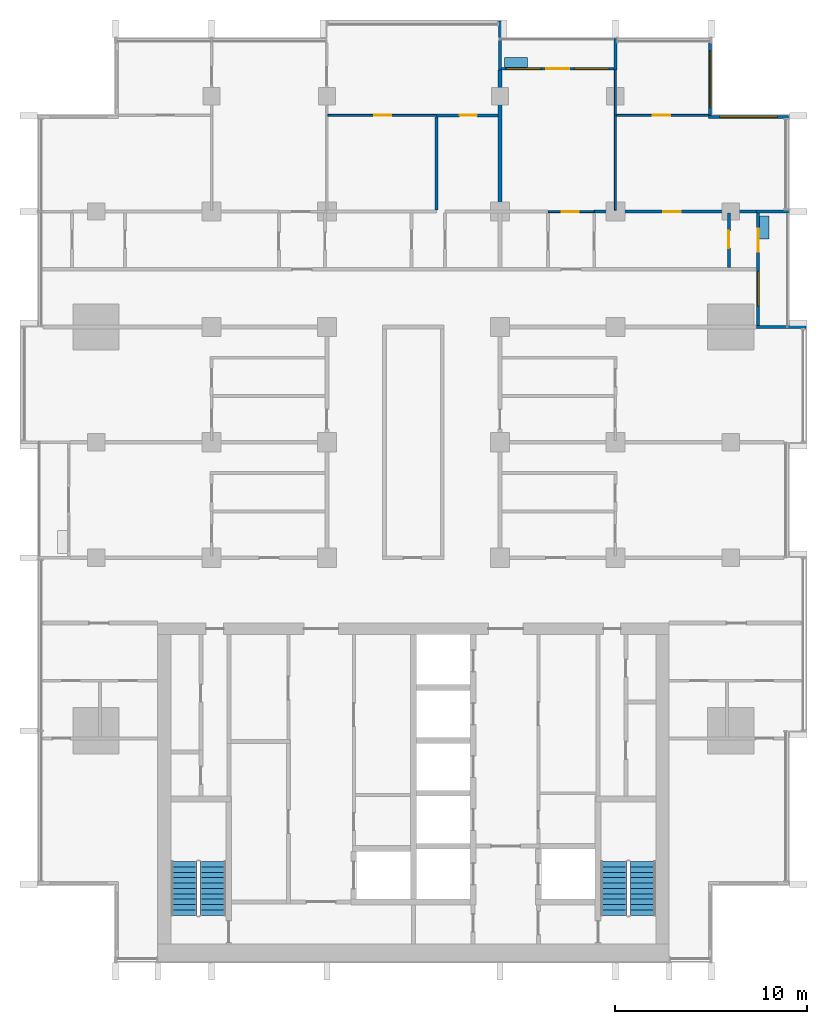
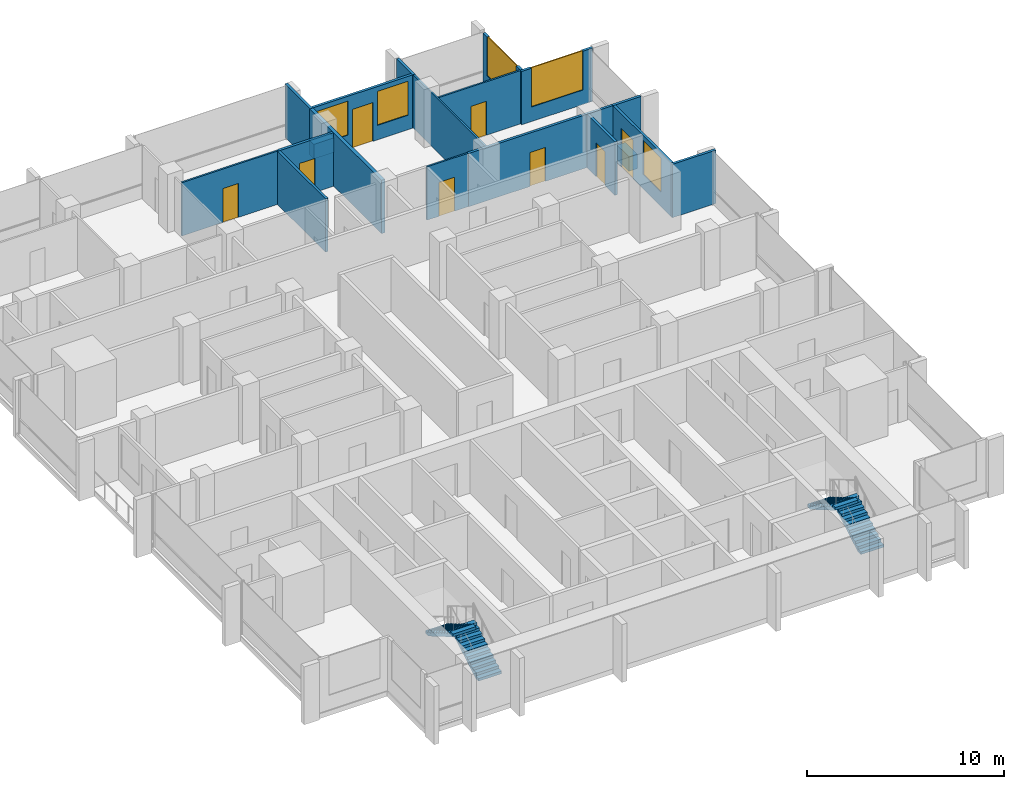
# One storey, part 11 of 16: 19 walls, 8 doors, 5 windows, 4 stair flights, 13 openings, 2 elements without a shape of their own.
"""IFC4 building model written with IfcOpenShell, lengths in metres."""

from ifc_helpers import new_model, si_unit, direction, frame, frame_2d, origin, place, context, subcontext, project, spatial, polyline, rectangle, outline, extrude, material, layer, layer_set, type_object, element, fill, aggregate, save


model = new_model("IFC4")

# Units and contexts
model_context = context("Model", 3, precision=1e-05, world=origin(), true_north=direction((0.0, 1.0)))
body_context = subcontext(model_context, "Body", "Model", "MODEL_VIEW")
ifc_project = project(units=[si_unit("LENGTHUNIT", "METRE"), si_unit("AREAUNIT", "SQUARE_METRE"), si_unit("VOLUMEUNIT", "CUBIC_METRE"), si_unit("PLANEANGLEUNIT", "RADIAN"), si_unit("MASSUNIT", "GRAM", prefix="KILO")], contexts=[model_context])

# Site, building, storey
site_placement = place(None, origin())
site = spatial("IfcSite", under=ifc_project, at=site_placement, CompositionType="ELEMENT")
building_placement = place(site_placement, origin())
building = spatial("IfcBuilding", under=site, at=building_placement, Name="Finial Court Residences", CompositionType="ELEMENT")
storey_placement = place(building_placement, frame((0.0, 0.0, 178.10009765625)))
storey = spatial("IfcBuildingStorey", under=building, at=storey_placement, Name="L44", CompositionType="ELEMENT", Elevation=178.10009765625)

# Wall
ifc_material_1 = material(Name="Gypsum board")
ifc_layer_1 = layer(ifc_material_1, 0.02490234375)
ifc_material_2 = material(Name="Acoustic mineral wool in double frame")
ifc_layer_2 = layer(ifc_material_2, 0.14990234375)
ifc_layer_3 = layer(ifc_material_1, 0.02490234375)
ifc_layer_set_1 = layer_set([ifc_layer_1, ifc_layer_2, ifc_layer_3], Name="Acoustic party wall 200, 1 hour")
wall_type_1 = type_object("IfcWallType", Name="Acoustic party wall 200, 1 hour", PredefinedType="PARTITIONING", material=ifc_layer_set_1)
wall_1_placement = place(storey_placement, frame((4.5, 13.574951171875, 0.0), z_axis=(0.0, 0.0, 1.0), x_axis=(0.0, 1.0, 0.0)))
element("IfcWall", 1, at=wall_1_placement, inside=storey, type_object=wall_type_1, Name="Partition L44-053", PredefinedType="PARTITIONING", context=body_context, shape_type="SweptSolid", body=[
    extrude(rectangle(XDim=7.275146484375, YDim=0.199951171875, at=frame_2d((3.6376953125, 0.0))), origin(), (0.0, 0.0, 1.0), 3.2998046875),
])

# Wall, opening, door
ifc_layer_4 = layer(ifc_material_1, 0.012451171875)
ifc_material_3 = material(Name="Mineral wool in light-gauge frame")
ifc_layer_5 = layer(ifc_material_3, 0.074951171875)
ifc_layer_6 = layer(ifc_material_1, 0.012451171875)
ifc_layer_set_2 = layer_set([ifc_layer_4, ifc_layer_5, ifc_layer_6], Name="Gypsum board partition 100")
wall_type_2 = type_object("IfcWallType", Name="Gypsum board partition 100", PredefinedType="PARTITIONING", material=ifc_layer_set_2)
wall_2_placement = place(storey_placement, frame((7.0, 13.5, 0.0), z_axis=(0.0, 0.0, 1.0), x_axis=(1.0, 0.0, 0.0)))
wall_2 = element("IfcWall", 2, at=wall_2_placement, inside=storey, type_object=wall_type_2, Name="Partition L44-025", PredefinedType="PARTITIONING", context=body_context, shape_type="SweptSolid", body=[
    extrude(rectangle(XDim=2.39990234375, YDim=0.10009765625, at=frame_2d((1.199951171875, 0.0))), origin(), (0.0, 0.0, 1.0), 3.2998046875),
])
opening_1_placement = place(wall_2_placement, frame((0.699951171875, 0.0, 0.0)))
opening_1 = element("IfcOpeningElement", 3, at=opening_1_placement, cuts=wall_2, Name="Opening L44-D015", PredefinedType="OPENING", context=body_context, shape_type="SweptSolid", body=[
    extrude(rectangle(XDim=0.89990234375, YDim=2.10009765625, at=frame_2d((0.449951171875, 1.050048828125))), frame((0.0, 0.06005859375, 0.0), z_axis=(0.0, -1.0, 0.0), x_axis=(1.0, 0.0, 0.0)), (0.0, 0.0, 1.0), 0.1201171875),
])
ifc_material_4 = material(Name="Timber door leaf in timber frame", Category="wood")
door_type_1 = type_object("IfcDoorType", Name="Door set 900 x 2100", OperationType="SINGLE_SWING_LEFT", PredefinedType="DOOR", material=ifc_material_4)
door_1_placement = place(opening_1_placement, origin())
door_1 = element("IfcDoor", 4, at=door_1_placement, inside=storey, type_object=door_type_1, Name="Door L44-D015", OperationType="SINGLE_SWING_RIGHT", OverallHeight=2.10009765625, OverallWidth=0.89990234375, PredefinedType="DOOR", context=body_context, shape_type="SweptSolid", body=[
    extrude(rectangle(XDim=0.89990234375, YDim=2.10009765625, at=frame_2d((0.449951171875, 1.050048828125))), frame((0.0, 0.02490234375, 0.0), z_axis=(0.0, -1.0, 0.0), x_axis=(1.0, 0.0, 0.0)), (0.0, 0.0, 1.0), 0.050048828125),
])
fill(opening_1, door_1)

wall_3_placement = place(storey_placement, frame((-4.449951171875, 18.5, 0.0), z_axis=(0.0, 0.0, 1.0), x_axis=(1.0, 0.0, 0.0)))
wall_3 = element("IfcWall", 5, at=wall_3_placement, inside=storey, type_object=wall_type_2, Name="Partition L44-031", PredefinedType="PARTITIONING", context=body_context, shape_type="SweptSolid", body=[
    extrude(rectangle(XDim=5.64990234375, YDim=0.10009765625, at=frame_2d((2.824951171875, 0.0))), origin(), (0.0, 0.0, 1.0), 3.2998046875),
])
opening_2_placement = place(wall_3_placement, frame((2.39990234375, 0.0, 0.0)))
opening_2 = element("IfcOpeningElement", 6, at=opening_2_placement, cuts=wall_3, Name="Opening L44-D018", PredefinedType="OPENING", context=body_context, shape_type="SweptSolid", body=[
    extrude(rectangle(XDim=0.89990234375, YDim=2.10009765625, at=frame_2d((0.449951171875, 1.050048828125))), frame((0.0, 0.06005859375, 0.0), z_axis=(0.0, -1.0, 0.0), x_axis=(1.0, 0.0, 0.0)), (0.0, 0.0, 1.0), 0.1201171875),
])
door_2_placement = place(opening_2_placement, origin())
door_2 = element("IfcDoor", 7, at=door_2_placement, inside=storey, type_object=door_type_1, Name="Door L44-D018", OperationType="SINGLE_SWING_RIGHT", OverallHeight=2.10009765625, OverallWidth=0.89990234375, PredefinedType="DOOR", context=body_context, shape_type="SweptSolid", body=[
    extrude(rectangle(XDim=0.89990234375, YDim=2.10009765625, at=frame_2d((0.449951171875, 1.050048828125))), frame((0.0, 0.02490234375, 0.0), z_axis=(0.0, -1.0, 0.0), x_axis=(1.0, 0.0, 0.0)), (0.0, 0.0, 1.0), 0.050048828125),
])
fill(opening_2, door_2)

wall_4_placement = place(storey_placement, frame((10.550048828125, 18.5, 0.0), z_axis=(0.0, 0.0, 1.0), x_axis=(1.0, 0.0, 0.0)))
wall_4 = element("IfcWall", 8, at=wall_4_placement, inside=storey, type_object=wall_type_2, Name="Partition L44-032", PredefinedType="PARTITIONING", context=body_context, shape_type="SweptSolid", body=[
    extrude(rectangle(XDim=4.800048828125, YDim=0.10009765625, at=frame_2d((2.39990234375, 0.0))), origin(), (0.0, 0.0, 1.0), 3.2998046875),
])
opening_3_placement = place(wall_4_placement, frame((1.89990234375, 0.0, 0.0)))
opening_3 = element("IfcOpeningElement", 9, at=opening_3_placement, cuts=wall_4, Name="Opening L44-D019", PredefinedType="OPENING", context=body_context, shape_type="SweptSolid", body=[
    extrude(rectangle(XDim=0.89990234375, YDim=2.10009765625, at=frame_2d((0.449951171875, 1.050048828125))), frame((0.0, 0.06005859375, 0.0), z_axis=(0.0, -1.0, 0.0), x_axis=(1.0, 0.0, 0.0)), (0.0, 0.0, 1.0), 0.1201171875),
])
door_3_placement = place(opening_3_placement, origin())
door_3 = element("IfcDoor", 10, at=door_3_placement, inside=storey, type_object=door_type_1, Name="Door L44-D019", OperationType="SINGLE_SWING_LEFT", OverallHeight=2.10009765625, OverallWidth=0.89990234375, PredefinedType="DOOR", context=body_context, shape_type="SweptSolid", body=[
    extrude(rectangle(XDim=0.89990234375, YDim=2.10009765625, at=frame_2d((0.449951171875, 1.050048828125))), frame((0.0, 0.02490234375, 0.0), z_axis=(0.0, -1.0, 0.0), x_axis=(1.0, 0.0, 0.0)), (0.0, 0.0, 1.0), 0.050048828125),
])
fill(opening_3, door_3)

# Wall
wall_5_placement = place(storey_placement, frame((10.5, 13.574951171875, 0.0), z_axis=(0.0, 0.0, 1.0), x_axis=(0.0, 1.0, 0.0)))
element("IfcWall", 11, at=wall_5_placement, inside=storey, type_object=wall_type_2, Name="Partition L44-058", PredefinedType="PARTITIONING", context=body_context, shape_type="SweptSolid", body=[
    extrude(rectangle(XDim=7.275146484375, YDim=0.10009765625, at=frame_2d((3.6376953125, 0.0))), origin(), (0.0, 0.0, 1.0), 3.2998046875),
])

# Wall, opening, door
ifc_material_5 = material(Name="Moisture-resistant gypsum board")
ifc_layer_7 = layer(ifc_material_5, 0.012451171875)
ifc_layer_8 = layer(ifc_material_3, 0.125)
ifc_layer_9 = layer(ifc_material_5, 0.012451171875)
ifc_layer_set_3 = layer_set([ifc_layer_7, ifc_layer_8, ifc_layer_9], Name="Gypsum board wet-area partition 150")
wall_type_3 = type_object("IfcWallType", Name="Gypsum board wet-area partition 150", PredefinedType="PARTITIONING", material=ifc_layer_set_3)
wall_6_placement = place(storey_placement, frame((9.39990234375, 13.5, 0.0), z_axis=(0.0, 0.0, 1.0), x_axis=(1.0, 0.0, 0.0)))
wall_6 = element("IfcWall", 12, at=wall_6_placement, inside=storey, type_object=wall_type_3, Name="Partition L44-029", PredefinedType="PARTITIONING", context=body_context, shape_type="SweptSolid", body=[
    extrude(rectangle(XDim=8.4501953125, YDim=0.14990234375, at=frame_2d((4.22509765625, 0.0))), origin(), (0.0, 0.0, 1.0), 3.2998046875),
])
opening_4_placement = place(wall_6_placement, frame((3.60009765625, 0.0, 0.0)))
opening_4 = element("IfcOpeningElement", 13, at=opening_4_placement, cuts=wall_6, Name="Opening L44-D016", PredefinedType="OPENING", context=body_context, shape_type="SweptSolid", body=[
    extrude(rectangle(XDim=0.89990234375, YDim=2.10009765625, at=frame_2d((0.449951171875, 1.050048828125))), frame((0.0, 0.0849609375, 0.0), z_axis=(0.0, -1.0, 0.0), x_axis=(1.0, 0.0, 0.0)), (0.0, 0.0, 1.0), 0.169921875),
])
door_4_placement = place(opening_4_placement, origin())
door_4 = element("IfcDoor", 14, at=door_4_placement, inside=storey, type_object=door_type_1, Name="Door L44-D016", OperationType="SINGLE_SWING_RIGHT", OverallHeight=2.10009765625, OverallWidth=0.89990234375, PredefinedType="DOOR", context=body_context, shape_type="SweptSolid", body=[
    extrude(rectangle(XDim=0.89990234375, YDim=2.10009765625, at=frame_2d((0.449951171875, 1.050048828125))), frame((0.0, 0.02490234375, 0.0), z_axis=(0.0, -1.0, 0.0), x_axis=(1.0, 0.0, 0.0)), (0.0, 0.0, 1.0), 0.050048828125),
])
fill(opening_4, door_4)

wall_7_placement = place(storey_placement, frame((1.199951171875, 18.5, 0.0), z_axis=(0.0, 0.0, 1.0), x_axis=(1.0, 0.0, 0.0)))
wall_7 = element("IfcWall", 15, at=wall_7_placement, inside=storey, type_object=wall_type_3, Name="Partition L44-033", PredefinedType="PARTITIONING", context=body_context, shape_type="SweptSolid", body=[
    extrude(rectangle(XDim=3.199951171875, YDim=0.14990234375, at=frame_2d((1.60009765625, 0.0))), origin(), (0.0, 0.0, 1.0), 3.2998046875),
])
opening_5_placement = place(wall_7_placement, frame((1.199951171875, 0.0, 0.0)))
opening_5 = element("IfcOpeningElement", 16, at=opening_5_placement, cuts=wall_7, Name="Opening L44-D020", PredefinedType="OPENING", context=body_context, shape_type="SweptSolid", body=[
    extrude(rectangle(XDim=0.89990234375, YDim=2.10009765625, at=frame_2d((0.449951171875, 1.050048828125))), frame((0.0, 0.0849609375, 0.0), z_axis=(0.0, -1.0, 0.0), x_axis=(1.0, 0.0, 0.0)), (0.0, 0.0, 1.0), 0.169921875),
])
door_5_placement = place(opening_5_placement, origin())
door_5 = element("IfcDoor", 17, at=door_5_placement, inside=storey, type_object=door_type_1, Name="Door L44-D020", OperationType="SINGLE_SWING_LEFT", OverallHeight=2.10009765625, OverallWidth=0.89990234375, PredefinedType="DOOR", context=body_context, shape_type="SweptSolid", body=[
    extrude(rectangle(XDim=0.89990234375, YDim=2.10009765625, at=frame_2d((0.449951171875, 1.050048828125))), frame((0.0, 0.02490234375, 0.0), z_axis=(0.0, -1.0, 0.0), x_axis=(1.0, 0.0, 0.0)), (0.0, 0.0, 1.0), 0.050048828125),
])
fill(opening_5, door_5)

# Wall
wall_8_placement = place(storey_placement, frame((1.199951171875, 13.574951171875, 0.0), z_axis=(0.0, 0.0, 1.0), x_axis=(0.0, 1.0, 0.0)))
element("IfcWall", 18, at=wall_8_placement, inside=storey, type_object=wall_type_3, Name="Partition L44-048", PredefinedType="PARTITIONING", context=body_context, shape_type="SweptSolid", body=[
    extrude(rectangle(XDim=4.85009765625, YDim=0.14990234375, at=frame_2d((2.425048828125, 0.0))), origin(), (0.0, 0.0, 1.0), 3.2998046875),
])

# Wall, opening, door
wall_9_placement = place(storey_placement, frame((16.39990234375, 10.60009765625, 0.0), z_axis=(0.0, 0.0, 1.0), x_axis=(0.0, 1.0, 0.0)))
wall_9 = element("IfcWall", 19, at=wall_9_placement, inside=storey, type_object=wall_type_3, Name="Partition L44-062", PredefinedType="PARTITIONING", context=body_context, shape_type="SweptSolid", body=[
    extrude(rectangle(XDim=2.824951171875, YDim=0.14990234375, at=frame_2d((1.41259765625, 0.0))), origin(), (0.0, 0.0, 1.0), 3.2998046875),
])
opening_6_placement = place(wall_9_placement, frame((1.0, 0.0, 0.0)))
opening_6 = element("IfcOpeningElement", 20, at=opening_6_placement, cuts=wall_9, Name="Opening L44-D041", PredefinedType="OPENING", context=body_context, shape_type="SweptSolid", body=[
    extrude(rectangle(XDim=0.89990234375, YDim=2.10009765625, at=frame_2d((0.449951171875, 1.050048828125))), frame((0.0, 0.0849609375, 0.0), z_axis=(0.0, -1.0, 0.0), x_axis=(1.0, 0.0, 0.0)), (0.0, 0.0, 1.0), 0.169921875),
])
door_6_placement = place(opening_6_placement, origin())
door_6 = element("IfcDoor", 21, at=door_6_placement, inside=storey, type_object=door_type_1, Name="Door L44-D041", OperationType="SINGLE_SWING_LEFT", OverallHeight=2.10009765625, OverallWidth=0.89990234375, PredefinedType="DOOR", context=body_context, shape_type="SweptSolid", body=[
    extrude(rectangle(XDim=0.89990234375, YDim=2.10009765625, at=frame_2d((0.449951171875, 1.050048828125))), frame((0.0, 0.02490234375, 0.0), z_axis=(0.0, -1.0, 0.0), x_axis=(1.0, 0.0, 0.0)), (0.0, 0.0, 1.0), 0.050048828125),
])
fill(opening_6, door_6)

# Wall, opening, window
ifc_material_6 = material(Name="Natural limestone", Category="masonry")
ifc_layer_10 = layer(ifc_material_6, 0.14990234375)
ifc_layer_set_4 = layer_set([ifc_layer_10], Name="Limestone clad wall 150")
wall_type_4 = type_object("IfcWallType", Name="Limestone clad wall 150", PredefinedType="SOLIDWALL", material=ifc_layer_set_4)
wall_10_placement = place(storey_placement, frame((15.425048828125, 22.262451171875, 0.0), z_axis=(0.0, 0.0, 1.0), x_axis=(0.0, -1.0, 0.0)))
wall_10 = element("IfcWall", 22, at=wall_10_placement, inside=storey, type_object=wall_type_4, Name="E-L44-NWE20", PredefinedType="SOLIDWALL", context=body_context, shape_type="SweptSolid", body=[
    extrude(rectangle(XDim=3.762451171875, YDim=0.14990234375, at=frame_2d((1.88134765625, 0.0))), origin(), (0.0, 0.0, 1.0), 3.2998046875),
])
opening_7_placement = place(wall_10_placement, frame((0.401123046875, 0.0, 0.89990234375)))
opening_7 = element("IfcOpeningElement", 23, at=opening_7_placement, cuts=wall_10, Name="Opening WE44-07", PredefinedType="OPENING", context=body_context, shape_type="SweptSolid", body=[
    extrude(rectangle(XDim=2.9599609375, YDim=2.39990234375, at=frame_2d((1.47998046875, 1.199951171875))), frame((0.0, 0.0849609375, 0.0), z_axis=(0.0, -1.0, 0.0), x_axis=(1.0, 0.0, 0.0)), (0.0, 0.0, 1.0), 0.169921875),
])
ifc_material_7 = material(Name="Clear low-e glass", Category="glass")
window_type_1 = type_object("IfcWindowType", Name="Corner window 2960 x 2400", PartitioningType="SINGLE_PANEL", PredefinedType="WINDOW", material=ifc_material_7)
window_1_placement = place(opening_7_placement, origin())
window_1 = element("IfcWindow", 24, at=window_1_placement, inside=storey, type_object=window_type_1, Name="E-L44-NWE20-W1", OverallHeight=2.39990234375, OverallWidth=2.9599609375, PartitioningType="SINGLE_PANEL", PredefinedType="WINDOW", context=body_context, shape_type="SweptSolid", body=[
    extrude(rectangle(XDim=2.9599609375, YDim=2.39990234375, at=frame_2d((1.47998046875, 1.199951171875))), frame((0.0, 0.030029296875, 0.0), z_axis=(0.0, -1.0, 0.0), x_axis=(1.0, 0.0, 0.0)), (0.0, 0.0, 1.0), 0.06005859375),
])
fill(opening_7, window_1)

wall_11_placement = place(storey_placement, frame((15.35009765625, 18.425048828125, 0.0), z_axis=(0.0, 0.0, 1.0), x_axis=(1.0, 0.0, 0.0)))
wall_11 = element("IfcWall", 25, at=wall_11_placement, inside=storey, type_object=wall_type_4, Name="E-L44-NWN21", PredefinedType="SOLIDWALL", context=body_context, shape_type="SweptSolid", body=[
    extrude(rectangle(XDim=4.14990234375, YDim=0.14990234375, at=frame_2d((2.074951171875, 0.0))), origin(), (0.0, 0.0, 1.0), 3.2998046875),
])
opening_8_placement = place(wall_11_placement, frame((0.574951171875, 0.0, 0.89990234375)))
opening_8 = element("IfcOpeningElement", 26, at=opening_8_placement, cuts=wall_11, Name="Opening WE44-08", PredefinedType="OPENING", context=body_context, shape_type="SweptSolid", body=[
    extrude(rectangle(XDim=3.0, YDim=2.39990234375, at=frame_2d((1.5, 1.199951171875))), frame((0.0, 0.0849609375, 0.0), z_axis=(0.0, -1.0, 0.0), x_axis=(1.0, 0.0, 0.0)), (0.0, 0.0, 1.0), 0.169921875),
])
window_type_2 = type_object("IfcWindowType", Name="Corner window 3000 x 2400", PartitioningType="SINGLE_PANEL", PredefinedType="WINDOW", material=ifc_material_7)
window_2_placement = place(opening_8_placement, origin())
window_2 = element("IfcWindow", 27, at=window_2_placement, inside=storey, type_object=window_type_2, Name="E-L44-NWN21-W1", OverallHeight=2.39990234375, OverallWidth=3.0, PartitioningType="SINGLE_PANEL", PredefinedType="WINDOW", context=body_context, shape_type="SweptSolid", body=[
    extrude(rectangle(XDim=3.0, YDim=2.39990234375, at=frame_2d((1.5, 1.199951171875))), frame((0.0, 0.030029296875, 0.0), z_axis=(0.0, -1.0, 0.0), x_axis=(1.0, 0.0, 0.0)), (0.0, 0.0, 1.0), 0.06005859375),
])
fill(opening_8, window_2)

# Walls
wall_12_placement = place(storey_placement, frame((4.5, 20.85009765625, 0.0), z_axis=(0.0, 0.0, 1.0), x_axis=(0.0, 1.0, 0.0)))
element("IfcWall", 28, at=wall_12_placement, inside=storey, type_object=wall_type_4, Name="E-L44-BALN4-P1", PredefinedType="SOLIDWALL", context=body_context, shape_type="SweptSolid", body=[
    extrude(rectangle(XDim=2.5498046875, YDim=0.14990234375, at=frame_2d((1.27490234375, 0.0))), origin(), (0.0, 0.0, 1.0), 3.2998046875),
])
wall_13_placement = place(storey_placement, frame((10.5, 20.85009765625, 0.0), z_axis=(0.0, 0.0, 1.0), x_axis=(0.0, 1.0, 0.0)))
element("IfcWall", 29, at=wall_13_placement, inside=storey, type_object=wall_type_4, Name="E-L44-BALN4-P2", PredefinedType="SOLIDWALL", context=body_context, shape_type="SweptSolid", body=[
    extrude(rectangle(XDim=1.64990234375, YDim=0.14990234375, at=frame_2d((0.824951171875, 0.0))), origin(), (0.0, 0.0, 1.0), 3.2998046875),
])

# Wall, openings, door, windows
wall_14_placement = place(storey_placement, frame((4.574951171875, 20.925048828125, 0.0), z_axis=(0.0, 0.0, 1.0), x_axis=(1.0, 0.0, 0.0)))
wall_14 = element("IfcWall", 30, at=wall_14_placement, inside=storey, type_object=wall_type_4, Name="E-L44-L44-BALN4-W", PredefinedType="SOLIDWALL", context=body_context, shape_type="SweptSolid", body=[
    extrude(rectangle(XDim=5.85009765625, YDim=0.14990234375, at=frame_2d((2.925048828125, 0.0))), origin(), (0.0, 0.0, 1.0), 3.2998046875),
])
opening_9_placement = place(wall_14_placement, frame((2.324951171875, 0.0, 0.0)))
opening_9 = element("IfcOpeningElement", 31, at=opening_9_placement, cuts=wall_14, Name="Opening DE44-01", PredefinedType="OPENING", context=body_context, shape_type="SweptSolid", body=[
    extrude(rectangle(XDim=1.199951171875, YDim=2.39990234375, at=frame_2d((0.60009765625, 1.199951171875))), frame((0.0, 0.0849609375, 0.0), z_axis=(0.0, -1.0, 0.0), x_axis=(1.0, 0.0, 0.0)), (0.0, 0.0, 1.0), 0.169921875),
])
opening_10_placement = place(wall_14_placement, frame((0.262451171875, 0.0, 0.89990234375)))
opening_10 = element("IfcOpeningElement", 32, at=opening_10_placement, cuts=wall_14, Name="Opening WE44-09", PredefinedType="OPENING", context=body_context, shape_type="SweptSolid", body=[
    extrude(rectangle(XDim=1.800048828125, YDim=2.10009765625, at=frame_2d((0.89990234375, 1.050048828125))), frame((0.0, 0.0849609375, 0.0), z_axis=(0.0, -1.0, 0.0), x_axis=(1.0, 0.0, 0.0)), (0.0, 0.0, 1.0), 0.169921875),
])
opening_11_placement = place(wall_14_placement, frame((3.78759765625, 0.0, 0.89990234375)))
opening_11 = element("IfcOpeningElement", 33, at=opening_11_placement, cuts=wall_14, Name="Opening WE44-10", PredefinedType="OPENING", context=body_context, shape_type="SweptSolid", body=[
    extrude(rectangle(XDim=1.800048828125, YDim=2.10009765625, at=frame_2d((0.89990234375, 1.050048828125))), frame((0.0, 0.0849609375, 0.0), z_axis=(0.0, -1.0, 0.0), x_axis=(1.0, 0.0, 0.0)), (0.0, 0.0, 1.0), 0.169921875),
])
ifc_material_8 = material(Name="Bronze anodised aluminium", Category="aluminium")
door_type_2 = type_object("IfcDoorType", Name="Balcony door 1200 x 2400", OperationType="SINGLE_SWING_LEFT", PredefinedType="DOOR", material=ifc_material_8)
door_7_placement = place(opening_9_placement, origin())
door_7 = element("IfcDoor", 34, at=door_7_placement, inside=storey, type_object=door_type_2, Name="E-L44-L44-BALN4-W-D", OperationType="SINGLE_SWING_LEFT", OverallHeight=2.39990234375, OverallWidth=1.199951171875, PredefinedType="DOOR", context=body_context, shape_type="SweptSolid", body=[
    extrude(rectangle(XDim=1.199951171875, YDim=2.39990234375, at=frame_2d((0.60009765625, 1.199951171875))), frame((0.0, 0.02490234375, 0.0), z_axis=(0.0, -1.0, 0.0), x_axis=(1.0, 0.0, 0.0)), (0.0, 0.0, 1.0), 0.050048828125),
])
fill(opening_9, door_7)
window_type_3 = type_object("IfcWindowType", Name="Balcony window 1800 x 2100", PartitioningType="SINGLE_PANEL", PredefinedType="WINDOW", material=ifc_material_7)
window_3_placement = place(opening_10_placement, origin())
window_3 = element("IfcWindow", 35, at=window_3_placement, inside=storey, type_object=window_type_3, Name="E-L44-L44-BALN4-W-W1", OverallHeight=2.10009765625, OverallWidth=1.800048828125, PartitioningType="SINGLE_PANEL", PredefinedType="WINDOW", context=body_context, shape_type="SweptSolid", body=[
    extrude(rectangle(XDim=1.800048828125, YDim=2.10009765625, at=frame_2d((0.89990234375, 1.050048828125))), frame((0.0, 0.030029296875, 0.0), z_axis=(0.0, -1.0, 0.0), x_axis=(1.0, 0.0, 0.0)), (0.0, 0.0, 1.0), 0.06005859375),
])
fill(opening_10, window_3)
window_4_placement = place(opening_11_placement, origin())
window_4 = element("IfcWindow", 36, at=window_4_placement, inside=storey, type_object=window_type_3, Name="E-L44-L44-BALN4-W-W2", OverallHeight=2.10009765625, OverallWidth=1.800048828125, PartitioningType="SINGLE_PANEL", PredefinedType="WINDOW", context=body_context, shape_type="SweptSolid", body=[
    extrude(rectangle(XDim=1.800048828125, YDim=2.10009765625, at=frame_2d((0.89990234375, 1.050048828125))), frame((0.0, 0.030029296875, 0.0), z_axis=(0.0, -1.0, 0.0), x_axis=(1.0, 0.0, 0.0)), (0.0, 0.0, 1.0), 0.06005859375),
])
fill(opening_11, window_4)

# Walls
wall_15_placement = place(storey_placement, frame((17.85009765625, 7.5, 0.0), z_axis=(0.0, 0.0, 1.0), x_axis=(1.0, 0.0, 0.0)))
element("IfcWall", 37, at=wall_15_placement, inside=storey, type_object=wall_type_4, Name="E-L44-BALE5-P1", PredefinedType="SOLIDWALL", context=body_context, shape_type="SweptSolid", body=[
    extrude(rectangle(XDim=2.5498046875, YDim=0.14990234375, at=frame_2d((1.27490234375, 0.0))), origin(), (0.0, 0.0, 1.0), 3.2998046875),
])
wall_16_placement = place(storey_placement, frame((17.85009765625, 13.5, 0.0), z_axis=(0.0, 0.0, 1.0), x_axis=(1.0, 0.0, 0.0)))
element("IfcWall", 38, at=wall_16_placement, inside=storey, type_object=wall_type_4, Name="E-L44-BALE5-P2", PredefinedType="SOLIDWALL", context=body_context, shape_type="SweptSolid", body=[
    extrude(rectangle(XDim=1.64990234375, YDim=0.14990234375, at=frame_2d((0.824951171875, 0.0))), origin(), (0.0, 0.0, 1.0), 3.2998046875),
])

# Wall, openings, door, window
wall_17_placement = place(storey_placement, frame((17.925048828125, 13.425048828125, 0.0), z_axis=(0.0, 0.0, 1.0), x_axis=(0.0, -1.0, 0.0)))
wall_17 = element("IfcWall", 39, at=wall_17_placement, inside=storey, type_object=wall_type_4, Name="E-L44-L44-BALE5-W", PredefinedType="SOLIDWALL", context=body_context, shape_type="SweptSolid", body=[
    extrude(rectangle(XDim=5.85009765625, YDim=0.14990234375, at=frame_2d((2.925048828125, 0.0))), origin(), (0.0, 0.0, 1.0), 3.2998046875),
])
opening_12_placement = place(wall_17_placement, frame((0.824951171875, 0.0, 0.0)))
opening_12 = element("IfcOpeningElement", 40, at=opening_12_placement, cuts=wall_17, Name="Opening DE44-02", PredefinedType="OPENING", context=body_context, shape_type="SweptSolid", body=[
    extrude(rectangle(XDim=1.199951171875, YDim=2.39990234375, at=frame_2d((0.60009765625, 1.199951171875))), frame((0.0, 0.0849609375, 0.0), z_axis=(0.0, -1.0, 0.0), x_axis=(1.0, 0.0, 0.0)), (0.0, 0.0, 1.0), 0.169921875),
])
opening_13_placement = place(wall_17_placement, frame((3.03759765625, 0.0, 0.89990234375)))
opening_13 = element("IfcOpeningElement", 41, at=opening_13_placement, cuts=wall_17, Name="Opening WE44-11", PredefinedType="OPENING", context=body_context, shape_type="SweptSolid", body=[
    extrude(rectangle(XDim=1.800048828125, YDim=2.10009765625, at=frame_2d((0.89990234375, 1.050048828125))), frame((0.0, 0.0849609375, 0.0), z_axis=(0.0, -1.0, 0.0), x_axis=(1.0, 0.0, 0.0)), (0.0, 0.0, 1.0), 0.169921875),
])
door_8_placement = place(opening_12_placement, origin())
door_8 = element("IfcDoor", 42, at=door_8_placement, inside=storey, type_object=door_type_2, Name="E-L44-L44-BALE5-W-D", OperationType="SINGLE_SWING_RIGHT", OverallHeight=2.39990234375, OverallWidth=1.199951171875, PredefinedType="DOOR", context=body_context, shape_type="SweptSolid", body=[
    extrude(rectangle(XDim=1.199951171875, YDim=2.39990234375, at=frame_2d((0.60009765625, 1.199951171875))), frame((0.0, 0.02490234375, 0.0), z_axis=(0.0, -1.0, 0.0), x_axis=(1.0, 0.0, 0.0)), (0.0, 0.0, 1.0), 0.050048828125),
])
fill(opening_12, door_8)
window_5_placement = place(opening_13_placement, origin())
window_5 = element("IfcWindow", 43, at=window_5_placement, inside=storey, type_object=window_type_3, Name="E-L44-L44-BALE5-W-W1", OverallHeight=2.10009765625, OverallWidth=1.800048828125, PartitioningType="SINGLE_PANEL", PredefinedType="WINDOW", context=body_context, shape_type="SweptSolid", body=[
    extrude(rectangle(XDim=1.800048828125, YDim=2.10009765625, at=frame_2d((0.89990234375, 1.050048828125))), frame((0.0, 0.030029296875, 0.0), z_axis=(0.0, -1.0, 0.0), x_axis=(1.0, 0.0, 0.0)), (0.0, 0.0, 1.0), 0.06005859375),
])
fill(opening_13, window_5)

# Walls
ifc_material_9 = material(Name="Concrete C40/50", Category="concrete")
ifc_layer_11 = layer(ifc_material_9, 0.10009765625)
ifc_material_10 = material(Name="Planting soil", Category="soil")
ifc_layer_12 = layer(ifc_material_10, 0.300048828125)
ifc_layer_13 = layer(ifc_material_9, 0.10009765625)
ifc_layer_set_5 = layer_set([ifc_layer_11, ifc_layer_12, ifc_layer_13], Name="Planter wall, balcony")
wall_type_5 = type_object("IfcWallType", Name="Planter wall, balcony", PredefinedType="USERDEFINED", material=ifc_layer_set_5)
for number, where, z_axis, x_axis, name in (
    (44, (4.72509765625, 21.25, 0.0), (0.0, 0.0, 1.0), (1.0, 0.0, 0.0), "E-L44-BALN4-PL"),
    (45, (18.25, 12.074951171875, 0.0), (0.0, 0.0, 1.0), (0.0, 1.0, 0.0), "E-L44-BALE5-PL"),
):
    element("IfcWall", number, at=place(storey_placement, frame(where, z_axis=z_axis, x_axis=x_axis)), inside=storey, type_object=wall_type_5, Name=name, ObjectType="PLANTER", PredefinedType="USERDEFINED", context=body_context, shape_type="SweptSolid", body=[
        extrude(rectangle(XDim=1.199951171875, YDim=0.5, at=frame_2d((0.60009765625, 0.0))), origin(), (0.0, 0.0, 1.0), 0.89990234375),
    ])

# Stair, stair flights
ifc_material_11 = material(Name="Concrete C50/60", Category="concrete")
stair_type = type_object("IfcStairType", Name="Exit stair 22 risers of 163.6 mm", PredefinedType="HALF_TURN_STAIR", material=ifc_material_11)
stair_1_placement = place(storey_placement, origin())
stair_1 = element("IfcStair", 46, at=stair_1_placement, inside=storey, type_object=stair_type, Name="L44 Exit stair ST-1", PredefinedType="HALF_TURN_STAIR")
stair_flight_type = type_object("IfcStairFlightType", Name="Exit stair flight", PredefinedType="STRAIGHT", material=ifc_material_11)
stair_flight_1_placement = place(storey_placement, frame((-10.425048828125, -23.10009765625, 0.0), z_axis=(0.0, 0.0, 1.0), x_axis=(0.0, 1.0, 0.0)))
stair_flight_1 = element("IfcStairFlight", 47, at=stair_flight_1_placement, type_object=stair_flight_type, Name="ST-1 flight 1", NumberOfRisers=11, NumberOfTreads=10, PredefinedType="STRAIGHT", RiserHeight=0.163636364, TreadLength=0.28, context=body_context, shape_type="SweptSolid", body=[
    extrude(outline(polyline([(0.0, 0.0), (0.0, 0.16357421875), (0.280029296875, 0.16357421875), (0.280029296875, 0.327392578125), (0.56005859375, 0.327392578125), (0.56005859375, 0.490966796875), (0.840087890625, 0.490966796875), (0.840087890625, 0.654541015625), (1.1201171875, 0.654541015625), (1.1201171875, 0.818115234375), (1.39990234375, 0.818115234375), (1.39990234375, 0.98193359375), (1.679931640625, 0.98193359375), (1.679931640625, 1.1455078125), (1.9599609375, 1.1455078125), (1.9599609375, 1.30908203125), (2.239990234375, 1.30908203125), (2.239990234375, 1.47265625), (2.52001953125, 1.47265625), (2.52001953125, 1.636474609375), (2.800048828125, 1.636474609375), (2.800048828125, 1.800048828125), (2.800048828125, 1.462646484375), (0.297119140625, 0.0), (0.0, 0.0)])), frame((0.0, 0.675048828125, 0.0), z_axis=(0.0, -1.0, 0.0), x_axis=(1.0, 0.0, 0.0)), (0.0, 0.0, 1.0), 1.35009765625),
])
stair_flight_2_placement = place(storey_placement, frame((-11.925048828125, -20.300048828125, 1.7998046875), z_axis=(0.0, 0.0, 1.0), x_axis=(0.0, -1.0, 0.0)))
stair_flight_2 = element("IfcStairFlight", 48, at=stair_flight_2_placement, type_object=stair_flight_type, Name="ST-1 flight 2", NumberOfRisers=11, NumberOfTreads=10, PredefinedType="STRAIGHT", RiserHeight=0.163636364, TreadLength=0.28, context=body_context, shape_type="SweptSolid", body=[
    extrude(outline(polyline([(0.0, 0.0), (0.0, 0.16357421875), (0.280029296875, 0.16357421875), (0.280029296875, 0.327392578125), (0.56005859375, 0.327392578125), (0.56005859375, 0.490966796875), (0.840087890625, 0.490966796875), (0.840087890625, 0.654541015625), (1.1201171875, 0.654541015625), (1.1201171875, 0.818115234375), (1.39990234375, 0.818115234375), (1.39990234375, 0.98193359375), (1.679931640625, 0.98193359375), (1.679931640625, 1.1455078125), (1.9599609375, 1.1455078125), (1.9599609375, 1.30908203125), (2.239990234375, 1.30908203125), (2.239990234375, 1.47265625), (2.52001953125, 1.47265625), (2.52001953125, 1.636474609375), (2.800048828125, 1.636474609375), (2.800048828125, 1.800048828125), (2.800048828125, 1.462646484375), (0.297119140625, 0.0), (0.0, 0.0)])), frame((0.0, 0.675048828125, 0.0), z_axis=(0.0, -1.0, 0.0), x_axis=(1.0, 0.0, 0.0)), (0.0, 0.0, 1.0), 1.35009765625),
])
aggregate(stair_1, [stair_flight_1, stair_flight_2])

stair_2_placement = place(storey_placement, origin())
stair_2 = element("IfcStair", 49, at=stair_2_placement, inside=storey, type_object=stair_type, Name="L44 Exit stair ST-2", PredefinedType="HALF_TURN_STAIR")
stair_flight_3_placement = place(storey_placement, frame((11.925048828125, -23.10009765625, 0.0), z_axis=(0.0, 0.0, 1.0), x_axis=(0.0, 1.0, 0.0)))
stair_flight_3 = element("IfcStairFlight", 50, at=stair_flight_3_placement, type_object=stair_flight_type, Name="ST-2 flight 1", NumberOfRisers=11, NumberOfTreads=10, PredefinedType="STRAIGHT", RiserHeight=0.163636364, TreadLength=0.28, context=body_context, shape_type="SweptSolid", body=[
    extrude(outline(polyline([(0.0, 0.0), (0.0, 0.16357421875), (0.280029296875, 0.16357421875), (0.280029296875, 0.327392578125), (0.56005859375, 0.327392578125), (0.56005859375, 0.490966796875), (0.840087890625, 0.490966796875), (0.840087890625, 0.654541015625), (1.1201171875, 0.654541015625), (1.1201171875, 0.818115234375), (1.39990234375, 0.818115234375), (1.39990234375, 0.98193359375), (1.679931640625, 0.98193359375), (1.679931640625, 1.1455078125), (1.9599609375, 1.1455078125), (1.9599609375, 1.30908203125), (2.239990234375, 1.30908203125), (2.239990234375, 1.47265625), (2.52001953125, 1.47265625), (2.52001953125, 1.636474609375), (2.800048828125, 1.636474609375), (2.800048828125, 1.800048828125), (2.800048828125, 1.462646484375), (0.297119140625, 0.0), (0.0, 0.0)])), frame((0.0, 0.675048828125, 0.0), z_axis=(0.0, -1.0, 0.0), x_axis=(1.0, 0.0, 0.0)), (0.0, 0.0, 1.0), 1.35009765625),
])
stair_flight_4_placement = place(storey_placement, frame((10.425048828125, -20.300048828125, 1.7998046875), z_axis=(0.0, 0.0, 1.0), x_axis=(0.0, -1.0, 0.0)))
stair_flight_4 = element("IfcStairFlight", 51, at=stair_flight_4_placement, type_object=stair_flight_type, Name="ST-2 flight 2", NumberOfRisers=11, NumberOfTreads=10, PredefinedType="STRAIGHT", RiserHeight=0.163636364, TreadLength=0.28, context=body_context, shape_type="SweptSolid", body=[
    extrude(outline(polyline([(0.0, 0.0), (0.0, 0.16357421875), (0.280029296875, 0.16357421875), (0.280029296875, 0.327392578125), (0.56005859375, 0.327392578125), (0.56005859375, 0.490966796875), (0.840087890625, 0.490966796875), (0.840087890625, 0.654541015625), (1.1201171875, 0.654541015625), (1.1201171875, 0.818115234375), (1.39990234375, 0.818115234375), (1.39990234375, 0.98193359375), (1.679931640625, 0.98193359375), (1.679931640625, 1.1455078125), (1.9599609375, 1.1455078125), (1.9599609375, 1.30908203125), (2.239990234375, 1.30908203125), (2.239990234375, 1.47265625), (2.52001953125, 1.47265625), (2.52001953125, 1.636474609375), (2.800048828125, 1.636474609375), (2.800048828125, 1.800048828125), (2.800048828125, 1.462646484375), (0.297119140625, 0.0), (0.0, 0.0)])), frame((0.0, 0.675048828125, 0.0), z_axis=(0.0, -1.0, 0.0), x_axis=(1.0, 0.0, 0.0)), (0.0, 0.0, 1.0), 1.35009765625),
])
aggregate(stair_2, [stair_flight_3, stair_flight_4])

save(model, "model.ifc")
